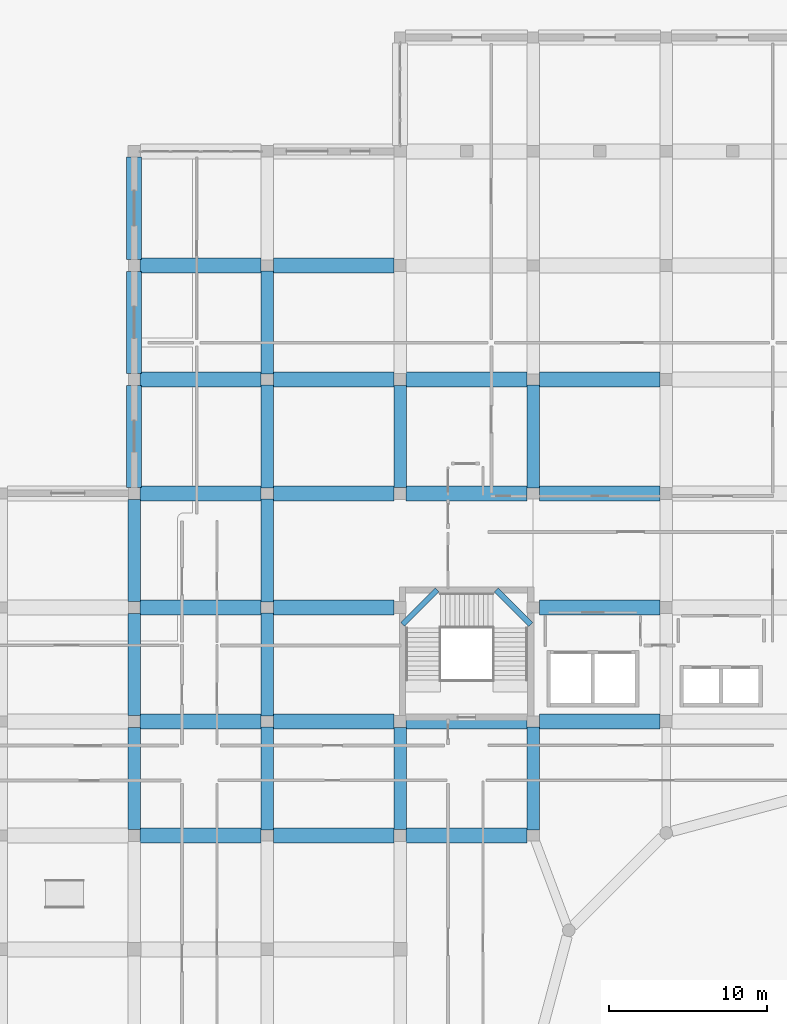
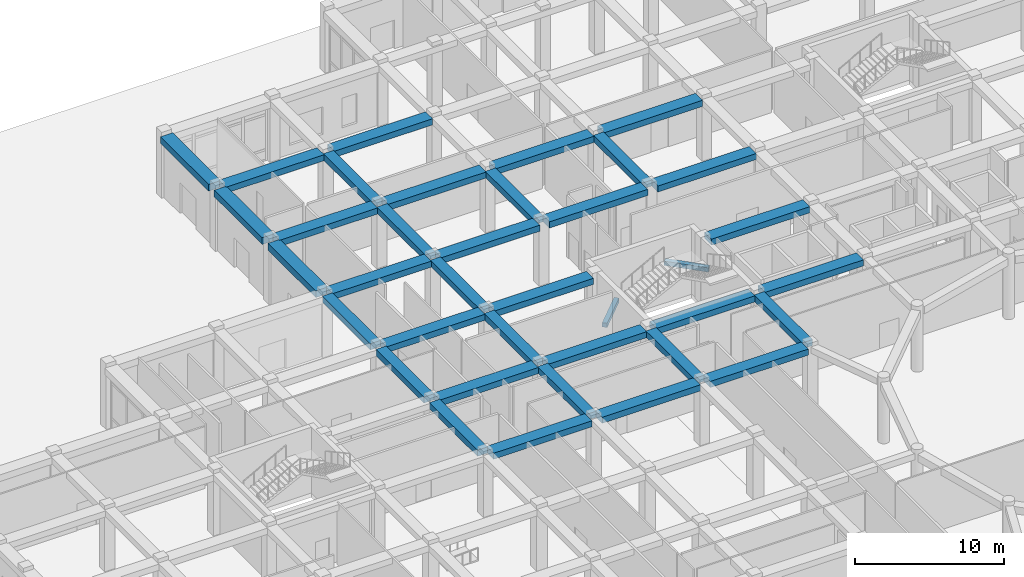
# One storey, part 31 of 84: 37 beams.
"""IFC4 building model written with IfcOpenShell, lengths in metres."""

from ifc_helpers import new_model, si_unit, derived_unit, direction, frame, origin, origin_2d, place, context, subcontext, project, spatial, rectangle, extrude, material, material_profile, profile_set, type_object, element, save


model = new_model("IFC4")

# Units and contexts
model_context = context("Model", 3, precision=1e-05, world=origin(), true_north=direction((0.0, 1.0)))
body_context = subcontext(model_context, "Body", "Model", "MODEL_VIEW")
ifc_project = project(units=[si_unit("LENGTHUNIT", "METRE"), si_unit("AREAUNIT", "SQUARE_METRE"), si_unit("VOLUMEUNIT", "CUBIC_METRE"), si_unit("PLANEANGLEUNIT", "RADIAN"), si_unit("MASSUNIT", "GRAM", prefix="KILO"), derived_unit("THERMALTRANSMITTANCEUNIT", [(si_unit("POWERUNIT", "WATT"), 1), (si_unit("LENGTHUNIT", "METRE"), -2), (si_unit("THERMODYNAMICTEMPERATUREUNIT", "KELVIN"), -1)])], contexts=[model_context])

# Site, building, storey
site_placement = place(None, origin())
site = spatial("IfcSite", under=ifc_project, at=site_placement, CompositionType="ELEMENT")
building_placement = place(site_placement, origin())
building = spatial("IfcBuilding", under=site, at=building_placement, Name="Veybourne Emporium", CompositionType="ELEMENT")
storey_placement = place(building_placement, origin())
storey = spatial("IfcBuildingStorey", under=building, at=storey_placement, Name="L00", CompositionType="ELEMENT", Elevation=0.0)

# Beams
ifc_material = material(Name="Concrete C32/40", Category="concrete")
ifc_material_profile_1 = material_profile(ifc_material, rectangle(XDim=0.35009765625, YDim=0.35009765625, at=origin_2d()), Name="RC 350x350")
ifc_profile_set_1 = profile_set([ifc_material_profile_1], Name="Concrete C32/40")
beam_type_1 = type_object("IfcBeamType", Name="LandingBeam_LB-01", PredefinedType="BEAM", material=ifc_profile_set_1)
for number, where, z_axis, x_axis, name in (
    (1, (50.550048828125, 78.1201171875, 1.425048828125), (0.707106781187, 0.707106781187, 0.0), (-0.707106781187, 0.707106781187, 0.0), "L00 ST-03 landing 1 support beam"),
    (2, (56.469970703125, 80.300048828125, 3.22509765625), (0.707106781187, -0.707106781187, 0.0), (0.707106781187, 0.707106781187, 0.0), "L00 ST-03 landing 2 support beam"),
):
    element("IfcBeam", number, at=place(storey_placement, frame(where, z_axis=z_axis, x_axis=x_axis)), inside=storey, type_object=beam_type_1, Name=name, PredefinedType="BEAM", context=body_context, shape_type="SweptSolid", body=[
        extrude(rectangle(XDim=0.35009765625, YDim=0.35009765625, at=origin_2d()), origin(), (0.0, 0.0, 1.0), 3.0830078125),
    ])
ifc_material_profile_2 = material_profile(ifc_material, rectangle(XDim=0.949951171875, YDim=0.5, at=origin_2d()), Name="RC 950x500")
ifc_profile_set_2 = profile_set([ifc_material_profile_2], Name="Concrete C32/40")
beam_type_2 = type_object("IfcBeamType", Name="RCBeam_BB-01", PredefinedType="BEAM", material=ifc_profile_set_2)
for number, where, z_axis, x_axis, name in (
    (3, (33.97509765625, 64.800048828125, 4.830078125), (1.0, 0.0, 0.0), (0.0, 1.0, 0.0), "L00 X-grid beam BB-01 (4,9)"),
    (4, (33.97509765625, 72.0, 4.830078125), (1.0, 0.0, 0.0), (0.0, 1.0, 0.0), "L00 X-grid beam BB-01 (4,10)"),
    (5, (33.97509765625, 79.199951171875, 4.830078125), (1.0, 0.0, 0.0), (0.0, 1.0, 0.0), "L00 X-grid beam BB-01 (4,11)"),
    (6, (33.97509765625, 86.39990234375, 4.830078125), (1.0, 0.0, 0.0), (0.0, 1.0, 0.0), "L00 X-grid beam BB-01 (4,12)"),
    (7, (33.97509765625, 93.60009765625, 4.830078125), (1.0, 0.0, 0.0), (0.0, 1.0, 0.0), "L00 X-grid beam BB-01 (4,13)"),
    (8, (33.97509765625, 100.800048828125, 4.830078125), (1.0, 0.0, 0.0), (0.0, 1.0, 0.0), "L00 X-grid beam BB-01 (4,14)"),
    (9, (42.39990234375, 64.800048828125, 4.830078125), (1.0, 0.0, 0.0), (0.0, 1.0, 0.0), "L00 X-grid beam BB-01 (5,9)"),
    (10, (42.39990234375, 72.0, 4.830078125), (1.0, 0.0, 0.0), (0.0, 1.0, 0.0), "L00 X-grid beam BB-01 (5,10)"),
    (11, (42.39990234375, 79.199951171875, 4.830078125), (1.0, 0.0, 0.0), (0.0, 1.0, 0.0), "L00 X-grid beam BB-01 (5,11)"),
    (12, (42.39990234375, 86.39990234375, 4.830078125), (1.0, 0.0, 0.0), (0.0, 1.0, 0.0), "L00 X-grid beam BB-01 (5,12)"),
    (13, (42.39990234375, 93.60009765625, 4.830078125), (1.0, 0.0, 0.0), (0.0, 1.0, 0.0), "L00 X-grid beam BB-01 (5,13)"),
    (14, (42.39990234375, 100.800048828125, 4.830078125), (1.0, 0.0, 0.0), (0.0, 1.0, 0.0), "L00 X-grid beam BB-01 (5,14)"),
    (15, (50.77490234375, 64.800048828125, 4.830078125), (1.0, 0.0, 0.0), (0.0, 1.0, 0.0), "L00 X-grid beam BB-01 (6,9)"),
    (16, (50.77490234375, 72.0, 4.830078125), (1.0, 0.0, 0.0), (0.0, 1.0, 0.0), "L00 X-grid beam BB-01 (6,10)"),
    (17, (50.77490234375, 86.39990234375, 4.830078125), (1.0, 0.0, 0.0), (0.0, 1.0, 0.0), "L00 X-grid beam BB-01 (6,12)"),
    (18, (50.77490234375, 93.60009765625, 4.830078125), (1.0, 0.0, 0.0), (0.0, 1.0, 0.0), "L00 X-grid beam BB-01 (6,13)"),
    (19, (59.199951171875, 72.0, 4.830078125), (1.0, 0.0, 0.0), (0.0, 1.0, 0.0), "L00 X-grid beam BB-01 (7,10)"),
    (20, (59.199951171875, 79.199951171875, 4.830078125), (1.0, 0.0, 0.0), (0.0, 1.0, 0.0), "L00 X-grid beam BB-01 (7,11)"),
    (21, (59.199951171875, 86.39990234375, 4.830078125), (1.0, 0.0, 0.0), (0.0, 1.0, 0.0), "L00 X-grid beam BB-01 (7,12)"),
    (22, (59.199951171875, 93.60009765625, 4.830078125), (1.0, 0.0, 0.0), (0.0, 1.0, 0.0), "L00 X-grid beam BB-01 (7,13)"),
):
    element("IfcBeam", number, at=place(storey_placement, frame(where, z_axis=z_axis, x_axis=x_axis)), inside=storey, type_object=beam_type_2, Name=name, PredefinedType="BEAM", context=body_context, shape_type="SweptSolid", body=[
        extrude(rectangle(XDim=0.949951171875, YDim=0.5, at=origin_2d()), origin(), (0.0, 0.0, 1.0), 7.625),
    ])
ifc_material_profile_3 = material_profile(ifc_material, rectangle(XDim=0.800048828125, YDim=0.5, at=origin_2d()), Name="RC 800x500")
ifc_profile_set_3 = profile_set([ifc_material_profile_3], Name="Concrete C32/40")
beam_type_3 = type_object("IfcBeamType", Name="RCBeam_BB-02", PredefinedType="BEAM", material=ifc_profile_set_3)
for number, where, z_axis, x_axis, name in (
    (23, (33.60009765625, 65.175048828125, 4.830078125), (0.0, 1.0, 0.0), (-1.0, 0.0, 0.0), "L00 Y-grid beam BB-02 (4,9)"),
    (24, (33.60009765625, 72.375, 4.830078125), (0.0, 1.0, 0.0), (-1.0, 0.0, 0.0), "L00 Y-grid beam BB-02 (4,10)"),
    (25, (33.60009765625, 79.574951171875, 4.830078125), (0.0, 1.0, 0.0), (-1.0, 0.0, 0.0), "L00 Y-grid beam BB-02 (4,11)"),
):
    element("IfcBeam", number, at=place(storey_placement, frame(where, z_axis=z_axis, x_axis=x_axis)), inside=storey, type_object=beam_type_3, Name=name, PredefinedType="BEAM", context=body_context, shape_type="SweptSolid", body=[
        extrude(rectangle(XDim=0.800048828125, YDim=0.5, at=origin_2d()), origin(), (0.0, 0.0, 1.0), 6.449951171875),
    ])
for number, where, z_axis, x_axis, name in (
    (26, (42.0, 65.14990234375, 4.830078125), (0.0, 1.0, 0.0), (-1.0, 0.0, 0.0), "L00 Y-grid beam BB-02 (5,9)"),
    (27, (42.0, 72.35009765625, 4.830078125), (0.0, 1.0, 0.0), (-1.0, 0.0, 0.0), "L00 Y-grid beam BB-02 (5,10)"),
    (28, (42.0, 79.550048828125, 4.830078125), (0.0, 1.0, 0.0), (-1.0, 0.0, 0.0), "L00 Y-grid beam BB-02 (5,11)"),
    (29, (42.0, 86.75, 4.830078125), (0.0, 1.0, 0.0), (-1.0, 0.0, 0.0), "L00 Y-grid beam BB-02 (5,12)"),
    (30, (42.0, 93.949951171875, 4.830078125), (0.0, 1.0, 0.0), (-1.0, 0.0, 0.0), "L00 Y-grid beam BB-02 (5,13)"),
):
    element("IfcBeam", number, at=place(storey_placement, frame(where, z_axis=z_axis, x_axis=x_axis)), inside=storey, type_object=beam_type_3, Name=name, PredefinedType="BEAM", context=body_context, shape_type="SweptSolid", body=[
        extrude(rectangle(XDim=0.800048828125, YDim=0.5, at=origin_2d()), origin(), (0.0, 0.0, 1.0), 6.5),
    ])
beam_1_placement = place(storey_placement, frame((50.39990234375, 65.175048828125, 4.830078125), z_axis=(0.0, 1.0, 0.0), x_axis=(-1.0, 0.0, 0.0)))
element("IfcBeam", 31, at=beam_1_placement, inside=storey, type_object=beam_type_3, Name="L00 Y-grid beam BB-02 (6,9)", PredefinedType="BEAM", context=body_context, shape_type="SweptSolid", body=[
    extrude(rectangle(XDim=0.800048828125, YDim=0.5, at=origin_2d()), origin(), (0.0, 0.0, 1.0), 6.449951171875),
])
beam_2_placement = place(storey_placement, frame((50.39990234375, 86.77490234375, 4.830078125), z_axis=(0.0, 1.0, 0.0), x_axis=(-1.0, 0.0, 0.0)))
element("IfcBeam", 32, at=beam_2_placement, inside=storey, type_object=beam_type_3, Name="L00 Y-grid beam BB-02 (6,12)", PredefinedType="BEAM", context=body_context, shape_type="SweptSolid", body=[
    extrude(rectangle(XDim=0.800048828125, YDim=0.5, at=origin_2d()), origin(), (0.0, 0.0, 1.0), 6.4501953125),
])
for number, where, z_axis, x_axis, name in (
    (33, (58.800048828125, 65.14990234375, 4.830078125), (0.0, 1.0, 0.0), (-1.0, 0.0, 0.0), "L00 Y-grid beam BB-02 (7,9)"),
    (34, (58.800048828125, 86.75, 4.830078125), (0.0, 1.0, 0.0), (-1.0, 0.0, 0.0), "L00 Y-grid beam BB-02 (7,12)"),
):
    element("IfcBeam", number, at=place(storey_placement, frame(where, z_axis=z_axis, x_axis=x_axis)), inside=storey, type_object=beam_type_3, Name=name, PredefinedType="BEAM", context=body_context, shape_type="SweptSolid", body=[
        extrude(rectangle(XDim=0.800048828125, YDim=0.5, at=origin_2d()), origin(), (0.0, 0.0, 1.0), 6.5),
    ])
ifc_material_profile_4 = material_profile(ifc_material, rectangle(XDim=0.949951171875, YDim=0.550048828125, at=origin_2d()), Name="RC 950x550")
ifc_profile_set_4 = profile_set([ifc_material_profile_4], Name="Concrete C32/40")
beam_type_4 = type_object("IfcBeamType", Name="RCBeam_EB-01", PredefinedType="SPANDREL", material=ifc_profile_set_4)
beam_3_placement = place(storey_placement, frame((33.60009765625, 86.77490234375, 4.804931640625), z_axis=(0.0, 1.0, 0.0), x_axis=(-1.0, 0.0, 0.0)))
element("IfcBeam", 35, at=beam_3_placement, inside=storey, type_object=beam_type_4, Name="L00 Y-grid beam EB-01 (4,12)", PredefinedType="SPANDREL", context=body_context, shape_type="SweptSolid", body=[
    extrude(rectangle(XDim=0.949951171875, YDim=0.550048828125, at=origin_2d()), origin(), (0.0, 0.0, 1.0), 6.4501953125),
])
beam_4_placement = place(storey_placement, frame((33.60009765625, 93.97509765625, 4.804931640625), z_axis=(0.0, 1.0, 0.0), x_axis=(-1.0, 0.0, 0.0)))
element("IfcBeam", 36, at=beam_4_placement, inside=storey, type_object=beam_type_4, Name="L00 Y-grid beam EB-01 (4,13)", PredefinedType="SPANDREL", context=body_context, shape_type="SweptSolid", body=[
    extrude(rectangle(XDim=0.949951171875, YDim=0.550048828125, at=origin_2d()), origin(), (0.0, 0.0, 1.0), 6.449951171875),
])
beam_5_placement = place(storey_placement, frame((33.60009765625, 101.175048828125, 4.804931640625), z_axis=(0.0, 1.0, 0.0), x_axis=(-1.0, 0.0, 0.0)))
element("IfcBeam", 37, at=beam_5_placement, inside=storey, type_object=beam_type_4, Name="L00 Y-grid beam EB-01 (4,14)", PredefinedType="SPANDREL", context=body_context, shape_type="SweptSolid", body=[
    extrude(rectangle(XDim=0.949951171875, YDim=0.550048828125, at=origin_2d()), origin(), (0.0, 0.0, 1.0), 6.46484375),
])

save(model, "model.ifc")
